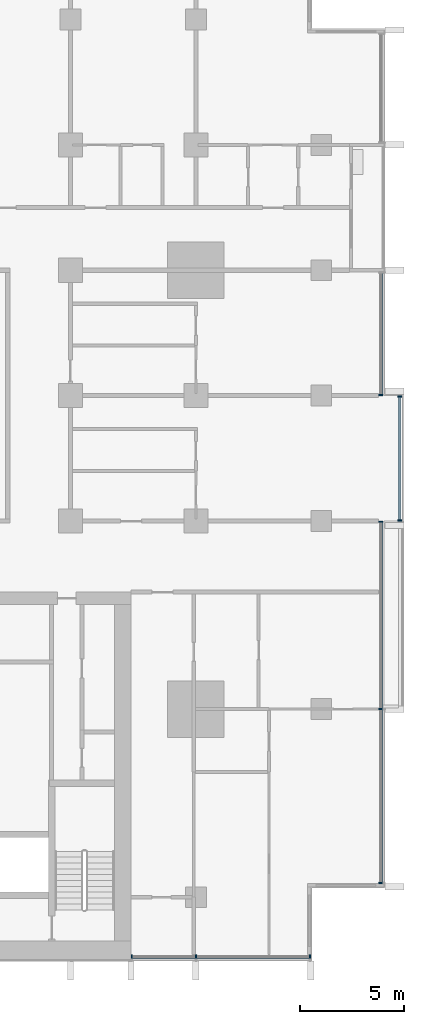
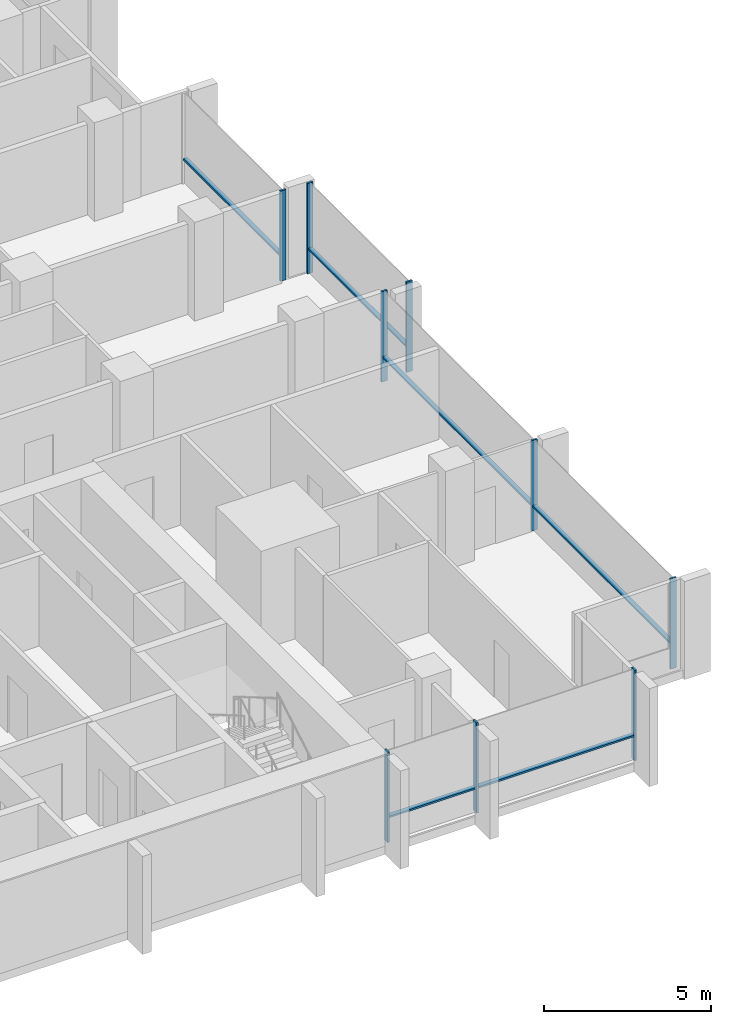
# One storey, part 3 of 17: 15 members, 4 elements without a shape of their own.
"""IFC4 building model written with IfcOpenShell, lengths in metres."""

from ifc_helpers import new_model, si_unit, direction, frame, origin, origin_2d, place, context, subcontext, project, spatial, rectangle, extrude, material, material_profile, profile_set, type_object, element, aggregate, save


model = new_model("IFC4")

# Units and contexts
model_context = context("Model", 3, precision=1e-05, world=origin(), true_north=direction((0.0, 1.0)))
body_context = subcontext(model_context, "Body", "Model", "MODEL_VIEW")
ifc_project = project(units=[si_unit("LENGTHUNIT", "METRE"), si_unit("AREAUNIT", "SQUARE_METRE"), si_unit("VOLUMEUNIT", "CUBIC_METRE"), si_unit("PLANEANGLEUNIT", "RADIAN"), si_unit("MASSUNIT", "GRAM", prefix="KILO")], contexts=[model_context])

# Site, building, storey
site_placement = place(None, origin())
site = spatial("IfcSite", under=ifc_project, at=site_placement, CompositionType="ELEMENT")
building_placement = place(site_placement, origin())
building = spatial("IfcBuilding", under=site, at=building_placement, Name="Finial Court Residences", CompositionType="ELEMENT")
storey_placement = place(building_placement, frame((0.0, 0.0, 113.5)))
storey = spatial("IfcBuildingStorey", under=building, at=storey_placement, Name="L28", CompositionType="ELEMENT", Elevation=113.5)

# Curtain wall, members
ifc_material = material(Name="Bronze anodised aluminium", Category="aluminium")
curtain_wall_type = type_object("IfcCurtainWallType", Name="Unitised curtain wall, lower and middle zones", PredefinedType="NOTDEFINED", material=ifc_material)
curtain_wall_1_placement = place(storey_placement, origin())
curtain_wall_1 = element("IfcCurtainWall", 1, at=curtain_wall_1_placement, inside=storey, type_object=curtain_wall_type, Name="E-L28-CW-E4", PredefinedType="NOTDEFINED")
ifc_material_profile_1 = material_profile(ifc_material, rectangle(XDim=0.199951171875, YDim=0.06494140625, at=origin_2d()), Name="CW1 mullion 65 x 200")
ifc_profile_set_1 = profile_set([ifc_material_profile_1], Name="Bronze anodised aluminium")
member_type_1 = type_object("IfcMemberType", Name="CW1 mullion 65 x 200", PredefinedType="MULLION", material=ifc_profile_set_1)
member_1_placement = place(storey_placement, frame((25.35009765625, -21.8173828125, 0.0), z_axis=(0.0, 0.0, 1.0), x_axis=(-1.0, 0.0, 0.0)))
member_1 = element("IfcMember", 2, at=member_1_placement, type_object=member_type_1, Name="CW1 mullion 1", PredefinedType="MULLION", context=body_context, shape_type="SweptSolid", body=[
    extrude(rectangle(XDim=0.199951171875, YDim=0.06494140625, at=origin_2d()), origin(), (0.0, 0.0, 1.0), 3.300048828125),
])
member_2_placement = place(storey_placement, frame((25.35009765625, -13.5, 0.0), z_axis=(0.0, 0.0, 1.0), x_axis=(-1.0, 0.0, 0.0)))
member_2 = element("IfcMember", 3, at=member_2_placement, type_object=member_type_1, Name="CW1 mullion 2", PredefinedType="MULLION", context=body_context, shape_type="SweptSolid", body=[
    extrude(rectangle(XDim=0.199951171875, YDim=0.06494140625, at=origin_2d()), origin(), (0.0, 0.0, 1.0), 3.300048828125),
])
member_3_placement = place(storey_placement, frame((25.35009765625, -4.532470703125, 0.0), z_axis=(0.0, 0.0, 1.0), x_axis=(-1.0, 0.0, 0.0)))
member_3 = element("IfcMember", 4, at=member_3_placement, type_object=member_type_1, Name="CW1 mullion 3", PredefinedType="MULLION", context=body_context, shape_type="SweptSolid", body=[
    extrude(rectangle(XDim=0.199951171875, YDim=0.06494140625, at=origin_2d()), origin(), (0.0, 0.0, 1.0), 3.300048828125),
])

curtain_wall_2_placement = place(storey_placement, origin())
curtain_wall_2 = element("IfcCurtainWall", 5, at=curtain_wall_2_placement, inside=storey, type_object=curtain_wall_type, Name="E-L28-CW-E5", PredefinedType="NOTDEFINED")
member_4_placement = place(storey_placement, frame((26.25, -4.467529296875, 0.0), z_axis=(0.0, 0.0, 1.0), x_axis=(-1.0, 0.0, 0.0)))
member_4 = element("IfcMember", 6, at=member_4_placement, type_object=member_type_1, Name="CW1 mullion 1", PredefinedType="MULLION", context=body_context, shape_type="SweptSolid", body=[
    extrude(rectangle(XDim=0.199951171875, YDim=0.06494140625, at=origin_2d()), origin(), (0.0, 0.0, 1.0), 3.300048828125),
])
member_5_placement = place(storey_placement, frame((26.25, 1.467529296875, 0.0), z_axis=(0.0, 0.0, 1.0), x_axis=(-1.0, 0.0, 0.0)))
member_5 = element("IfcMember", 7, at=member_5_placement, type_object=member_type_1, Name="CW1 mullion 2", PredefinedType="MULLION", context=body_context, shape_type="SweptSolid", body=[
    extrude(rectangle(XDim=0.199951171875, YDim=0.06494140625, at=origin_2d()), origin(), (0.0, 0.0, 1.0), 3.300048828125),
])

# Curtain wall, member
curtain_wall_3_placement = place(storey_placement, origin())
curtain_wall_3 = element("IfcCurtainWall", 8, at=curtain_wall_3_placement, inside=storey, type_object=curtain_wall_type, Name="E-L28-CW-E6", PredefinedType="NOTDEFINED")
member_6_placement = place(storey_placement, frame((25.35009765625, 1.532470703125, 0.0), z_axis=(0.0, 0.0, 1.0), x_axis=(-1.0, 0.0, 0.0)))
member_6 = element("IfcMember", 9, at=member_6_placement, type_object=member_type_1, Name="CW1 mullion 1", PredefinedType="MULLION", context=body_context, shape_type="SweptSolid", body=[
    extrude(rectangle(XDim=0.199951171875, YDim=0.06494140625, at=origin_2d()), origin(), (0.0, 0.0, 1.0), 3.300048828125),
])

# Curtain wall, members
curtain_wall_4_placement = place(storey_placement, origin())
curtain_wall_4 = element("IfcCurtainWall", 10, at=curtain_wall_4_placement, inside=storey, type_object=curtain_wall_type, Name="E-L28-CW-S9", PredefinedType="NOTDEFINED")
member_7_placement = place(storey_placement, frame((13.4326171875, -25.35009765625, 0.0), z_axis=(0.0, 0.0, 1.0), x_axis=(0.0, 1.0, 0.0)))
member_7 = element("IfcMember", 11, at=member_7_placement, type_object=member_type_1, Name="CW1 mullion 1", PredefinedType="MULLION", context=body_context, shape_type="SweptSolid", body=[
    extrude(rectangle(XDim=0.199951171875, YDim=0.06494140625, at=origin_2d()), origin(), (0.0, 0.0, 1.0), 3.300048828125),
])
member_8_placement = place(storey_placement, frame((16.5, -25.35009765625, 0.0), z_axis=(0.0, 0.0, 1.0), x_axis=(0.0, 1.0, 0.0)))
member_8 = element("IfcMember", 12, at=member_8_placement, type_object=member_type_1, Name="CW1 mullion 2", PredefinedType="MULLION", context=body_context, shape_type="SweptSolid", body=[
    extrude(rectangle(XDim=0.199951171875, YDim=0.06494140625, at=origin_2d()), origin(), (0.0, 0.0, 1.0), 3.300048828125),
])
member_9_placement = place(storey_placement, frame((21.967529296875, -25.35009765625, 0.0), z_axis=(0.0, 0.0, 1.0), x_axis=(0.0, 1.0, 0.0)))
member_9 = element("IfcMember", 13, at=member_9_placement, type_object=member_type_1, Name="CW1 mullion 3", PredefinedType="MULLION", context=body_context, shape_type="SweptSolid", body=[
    extrude(rectangle(XDim=0.199951171875, YDim=0.06494140625, at=origin_2d()), origin(), (0.0, 0.0, 1.0), 3.300048828125),
])

# Member
ifc_material_profile_2 = material_profile(ifc_material, rectangle(XDim=0.14990234375, YDim=0.06494140625, at=origin_2d()), Name="CW1 transom 65 x 150")
ifc_profile_set_2 = profile_set([ifc_material_profile_2], Name="Bronze anodised aluminium")
member_type_2 = type_object("IfcMemberType", Name="CW1 transom 65 x 150", PredefinedType="USERDEFINED", material=ifc_profile_set_2)
member_10_placement = place(storey_placement, frame((25.35009765625, -21.784912109375, 0.89990234375), z_axis=(0.0, 1.0, 0.0), x_axis=(-1.0, 0.0, 0.0)))
member_10 = element("IfcMember", 14, at=member_10_placement, type_object=member_type_2, Name="CW1 transom 1.1", ObjectType="TRANSOM", PredefinedType="USERDEFINED", context=body_context, shape_type="SweptSolid", body=[
    extrude(rectangle(XDim=0.14990234375, YDim=0.06494140625, at=origin_2d()), origin(), (0.0, 0.0, 1.0), 8.25244140625),
])

member_11_placement = place(storey_placement, frame((25.35009765625, -13.467529296875, 0.89990234375), z_axis=(0.0, 1.0, 0.0), x_axis=(-1.0, 0.0, 0.0)))
member_11 = element("IfcMember", 15, at=member_11_placement, type_object=member_type_2, Name="CW1 transom 2.1", ObjectType="TRANSOM", PredefinedType="USERDEFINED", context=body_context, shape_type="SweptSolid", body=[
    extrude(rectangle(XDim=0.14990234375, YDim=0.06494140625, at=origin_2d()), origin(), (0.0, 0.0, 1.0), 8.902587890625),
])

aggregate(curtain_wall_1, [member_1, member_2, member_3, member_10, member_11])

member_12_placement = place(storey_placement, frame((26.25, -4.43505859375, 0.89990234375), z_axis=(0.0, 1.0, 0.0), x_axis=(-1.0, 0.0, 0.0)))
member_12 = element("IfcMember", 16, at=member_12_placement, type_object=member_type_2, Name="CW1 transom 1.1", ObjectType="TRANSOM", PredefinedType="USERDEFINED", context=body_context, shape_type="SweptSolid", body=[
    extrude(rectangle(XDim=0.14990234375, YDim=0.06494140625, at=origin_2d()), origin(), (0.0, 0.0, 1.0), 5.8701171875),
])

aggregate(curtain_wall_2, [member_4, member_5, member_12])

member_13_placement = place(storey_placement, frame((25.35009765625, 1.56494140625, 0.89990234375), z_axis=(0.0, 1.0, 0.0), x_axis=(-1.0, 0.0, 0.0)))
member_13 = element("IfcMember", 17, at=member_13_placement, type_object=member_type_2, Name="CW1 transom 1.1", ObjectType="TRANSOM", PredefinedType="USERDEFINED", context=body_context, shape_type="SweptSolid", body=[
    extrude(rectangle(XDim=0.14990234375, YDim=0.06494140625, at=origin_2d()), origin(), (0.0, 0.0, 1.0), 5.795166015625),
])

aggregate(curtain_wall_3, [member_6, member_13])

member_14_placement = place(storey_placement, frame((13.465087890625, -25.35009765625, 0.89990234375), z_axis=(1.0, 0.0, 0.0), x_axis=(0.0, 1.0, 0.0)))
member_14 = element("IfcMember", 18, at=member_14_placement, type_object=member_type_2, Name="CW1 transom 1.1", ObjectType="TRANSOM", PredefinedType="USERDEFINED", context=body_context, shape_type="SweptSolid", body=[
    extrude(rectangle(XDim=0.14990234375, YDim=0.06494140625, at=origin_2d()), origin(), (0.0, 0.0, 1.0), 3.00244140625),
])

member_15_placement = place(storey_placement, frame((16.532470703125, -25.35009765625, 0.89990234375), z_axis=(1.0, 0.0, 0.0), x_axis=(0.0, 1.0, 0.0)))
member_15 = element("IfcMember", 19, at=member_15_placement, type_object=member_type_2, Name="CW1 transom 2.1", ObjectType="TRANSOM", PredefinedType="USERDEFINED", context=body_context, shape_type="SweptSolid", body=[
    extrude(rectangle(XDim=0.14990234375, YDim=0.06494140625, at=origin_2d()), origin(), (0.0, 0.0, 1.0), 5.402587890625),
])

aggregate(curtain_wall_4, [member_7, member_8, member_9, member_14, member_15])

save(model, "model.ifc")
